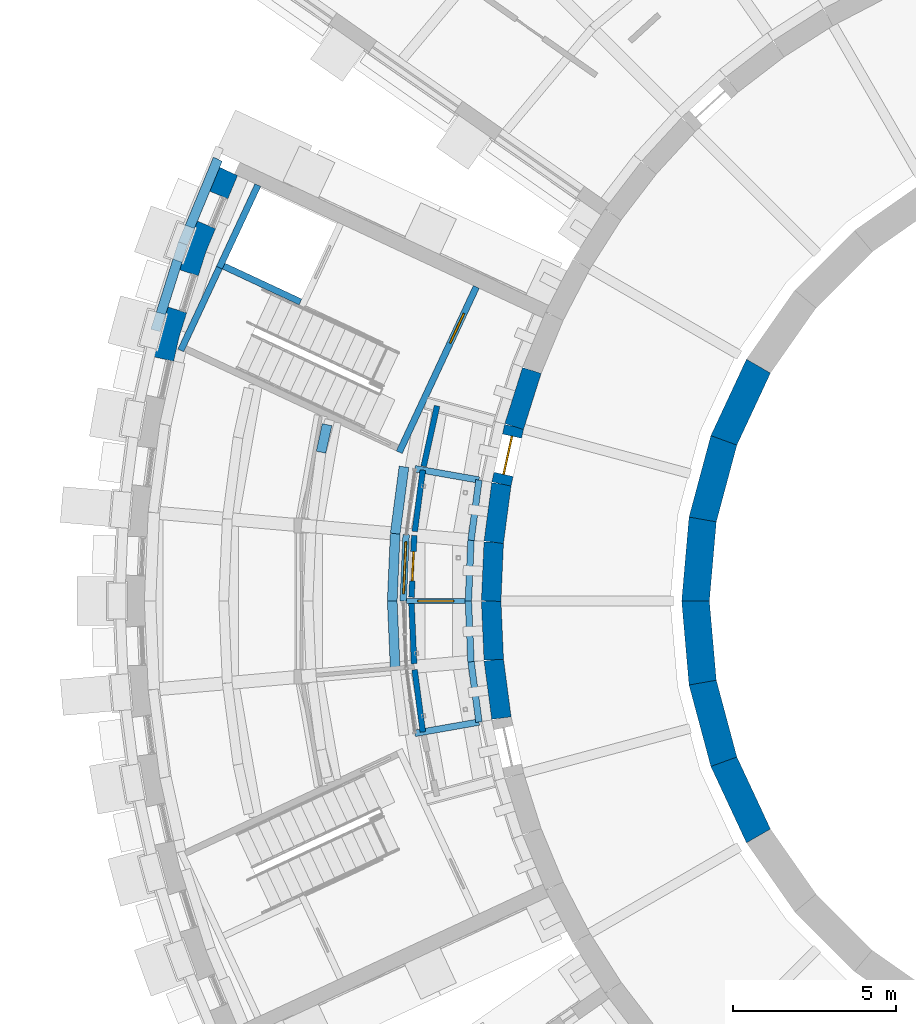
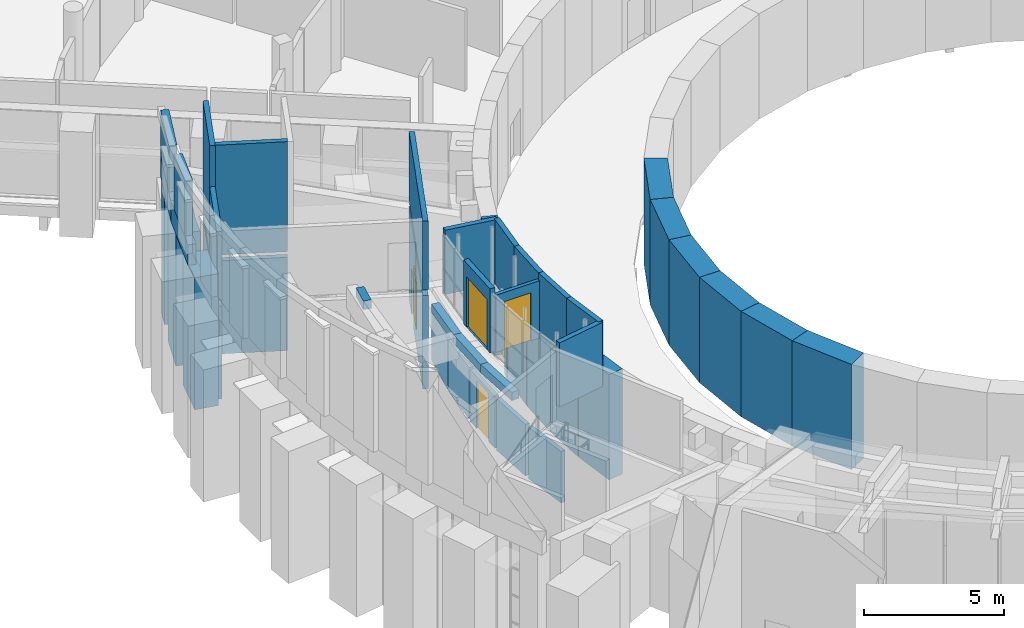
# One storey, part 41 of 66: 44 walls, 5 doors, 5 openings.
"""IFC4 building model written with IfcOpenShell, lengths in metres."""

from ifc_helpers import new_model, si_unit, direction, frame, frame_2d, origin, place, context, subcontext, project, spatial, polyline, rectangle, outline, extrude, material, layer, layer_set, type_object, element, fill, save


model = new_model("IFC4")

# Units and contexts
model_context = context("Model", 3, precision=1e-05, world=origin(), true_north=direction((0.0, 1.0)))
body_context = subcontext(model_context, "Body", "Model", "MODEL_VIEW")
ifc_project = project(units=[si_unit("LENGTHUNIT", "METRE"), si_unit("AREAUNIT", "SQUARE_METRE"), si_unit("VOLUMEUNIT", "CUBIC_METRE"), si_unit("PLANEANGLEUNIT", "RADIAN"), si_unit("MASSUNIT", "GRAM", prefix="KILO")], contexts=[model_context])

# Site, building, storey
site_placement = place(None, origin())
site = spatial("IfcSite", under=ifc_project, at=site_placement, CompositionType="ELEMENT")
building_placement = place(site_placement, origin())
building = spatial("IfcBuilding", under=site, at=building_placement, Name="Volute Hill Aquarium", CompositionType="ELEMENT")
storey_placement = place(building_placement, frame((0.0, 0.0, 4.60009765625)))
storey = spatial("IfcBuildingStorey", under=building, at=storey_placement, Name="L02", CompositionType="ELEMENT", Elevation=4.60009765625)

# Wall, opening, door
ifc_material_1 = material(Name="Gypsum board on steel studs", Category="steel")
ifc_layer_1 = layer(ifc_material_1, 0.14990234375)
ifc_layer_set_1 = layer_set([ifc_layer_1], Name="Acoustic partition 150")
wall_type_1 = type_object("IfcWallType", Name="Acoustic partition 150", PredefinedType="PARTITIONING", material=ifc_layer_set_1)
wall_1_placement = place(storey_placement, frame((-21.5, 0.0, 4.31982421875), z_axis=(0.0, 0.0, 1.0), x_axis=(-1.0, 0.0, 0.0)))
wall_1 = element("IfcWall", 1, at=wall_1_placement, inside=storey, type_object=wall_type_1, Name="pw/S1/L02/gp1", PredefinedType="PARTITIONING", context=body_context, shape_type="SweptSolid", body=[
    extrude(rectangle(XDim=1.800048828125, YDim=0.14990234375, at=frame_2d((0.89990234375, 0.0))), origin(), (0.0, 0.0, 1.0), 2.5),
])
opening_1_placement = place(wall_1_placement, frame((0.35009765625, 0.0, 0.0)))
opening_1 = element("IfcOpeningElement", 2, at=opening_1_placement, cuts=wall_1, Name="Opening D1.02.GP", PredefinedType="OPENING", context=body_context, shape_type="SweptSolid", body=[
    extrude(rectangle(XDim=1.10009765625, YDim=2.10009765625, at=frame_2d((0.550048828125, 1.050048828125))), frame((0.0, 0.0849609375, 0.0), z_axis=(0.0, -1.0, 0.0), x_axis=(1.0, 0.0, 0.0)), (0.0, 0.0, 1.0), 0.169921875),
])
ifc_material_2 = material(Name="Timber", Category="wood")
door_type_1 = type_object("IfcDoorType", Name="Door 1100 x 2100 accessible WC", OperationType="SINGLE_SWING_LEFT", PredefinedType="DOOR", material=ifc_material_2)
door_1_placement = place(opening_1_placement, origin())
door_1 = element("IfcDoor", 3, at=door_1_placement, inside=storey, type_object=door_type_1, Name="d/S1/L02/gp", OperationType="SINGLE_SWING_RIGHT", OverallHeight=2.10009765625, OverallWidth=1.10009765625, PredefinedType="DOOR", context=body_context, shape_type="SweptSolid", body=[
    extrude(rectangle(XDim=1.10009765625, YDim=2.10009765625, at=frame_2d((0.550048828125, 1.050048828125))), frame((0.0, 0.02490234375, 0.0), z_axis=(0.0, -1.0, 0.0), x_axis=(1.0, 0.0, 0.0)), (0.0, 0.0, 1.0), 0.050048828125),
])
fill(opening_1, door_1)

ifc_material_3 = material(Name="Concrete C30/37", Category="concrete")
ifc_layer_2 = layer(ifc_material_3, 0.199951171875)
ifc_layer_set_2 = layer_set([ifc_layer_2], Name="Core wall 200 REI 60")
wall_type_2 = type_object("IfcWallType", Name="Core wall 200 REI 60", PredefinedType="SHEAR", material=ifc_layer_set_2)
wall_2_placement = place(storey_placement, frame((-21.15625, 9.64453125, 0.0), z_axis=(0.0, 0.0, 1.0), x_axis=(-0.422596646043, -0.906317866288, 0.0)))
wall_2 = element("IfcWall", 4, at=wall_2_placement, inside=storey, type_object=wall_type_2, Name="wc/S1-A/L02/in", PredefinedType="SHEAR", context=body_context, shape_type="SweptSolid", body=[
    extrude(rectangle(XDim=5.599853515625, YDim=0.199951171875, at=frame_2d((2.7998046875, 0.0))), origin(), (0.0, 0.0, 1.0), 4.06982421875),
])
opening_2_placement = place(wall_2_placement, frame((0.89990234375, 0.0, 0.0)))
opening_2 = element("IfcOpeningElement", 5, at=opening_2_placement, cuts=wall_2, Name="Opening D1.02.AS", PredefinedType="OPENING", context=body_context, shape_type="SweptSolid", body=[
    extrude(rectangle(XDim=1.0, YDim=2.10009765625, at=frame_2d((0.5, 1.050048828125))), frame((0.0, 0.10986328125, 0.0), z_axis=(0.0, -1.0, 0.0), x_axis=(1.0, 0.0, 0.0)), (0.0, 0.0, 1.0), 0.219970703125),
])
ifc_material_4 = material(Name="Timber, fire-rated", Category="wood")
door_type_2 = type_object("IfcDoorType", Name="Door 1000 x 2100 single EI1 30", OperationType="SINGLE_SWING_LEFT", PredefinedType="DOOR", material=ifc_material_4)
door_2_placement = place(opening_2_placement, origin())
door_2 = element("IfcDoor", 6, at=door_2_placement, inside=storey, type_object=door_type_2, Name="d/S1-A/L02/st", OperationType="SINGLE_SWING_RIGHT", OverallHeight=2.10009765625, OverallWidth=1.0, PredefinedType="DOOR", context=body_context, shape_type="SweptSolid", body=[
    extrude(rectangle(XDim=1.0, YDim=2.10009765625, at=frame_2d((0.5, 1.050048828125))), frame((0.0, 0.02490234375, 0.0), z_axis=(0.0, -1.0, 0.0), x_axis=(1.0, 0.0, 0.0)), (0.0, 0.0, 1.0), 0.050048828125),
])
fill(opening_2, door_2)

# Walls
wall_3_placement = place(storey_placement, frame((-21.15625, 9.64453125, 4.31982421875), z_axis=(0.0, 0.0, 1.0), x_axis=(-0.422596646043, -0.906317866288, 0.0)))
element("IfcWall", 7, at=wall_3_placement, inside=storey, type_object=wall_type_2, Name="wc/S1-A/L02/in-h", PredefinedType="SHEAR", context=body_context, shape_type="SweptSolid", body=[
    extrude(rectangle(XDim=5.599853515625, YDim=0.199951171875, at=frame_2d((2.7998046875, 0.0))), origin(), (0.0, 0.0, 1.0), 3.0),
])
wall_4_placement = place(storey_placement, frame((-29.046142578125, 10.234375, 0.0), z_axis=(0.0, 0.0, 1.0), x_axis=(-0.422632457081, -0.906301167505, 0.0)))
element("IfcWall", 8, at=wall_4_placement, inside=storey, type_object=wall_type_2, Name="wc/S1-A/L02/out-b", PredefinedType="SHEAR", context=body_context, shape_type="SweptSolid", body=[
    extrude(rectangle(XDim=2.800048828125, YDim=0.199951171875, at=frame_2d((1.39990234375, 0.0))), origin(), (0.0, 0.0, 1.0), 4.06982421875),
])
wall_5_placement = place(storey_placement, frame((-29.046142578125, 10.234375, 4.31982421875), z_axis=(0.0, 0.0, 1.0), x_axis=(-0.422632457081, -0.906301167505, 0.0)))
element("IfcWall", 9, at=wall_5_placement, inside=storey, type_object=wall_type_2, Name="wc/S1-A/L02/out-b-h", PredefinedType="SHEAR", context=body_context, shape_type="SweptSolid", body=[
    extrude(rectangle(XDim=2.800048828125, YDim=0.199951171875, at=frame_2d((1.39990234375, 0.0))), origin(), (0.0, 0.0, 1.0), 3.0),
])
ifc_material_5 = material(Name="Gypsum board on steel studs", Category="steel")
ifc_layer_3 = layer(ifc_material_5, 0.175048828125)
ifc_layer_set_3 = layer_set([ifc_layer_3], Name="Corridor partition 175 EI 60")
wall_type_3 = type_object("IfcWallType", Name="Corridor partition 175 EI 60", PredefinedType="PARTITIONING", material=ifc_layer_set_3)
wall_6_placement = place(storey_placement, frame((-23.06591796875, -1.92529296875, 0.0), z_axis=(0.0, 0.0, 1.0), x_axis=(-0.043580164476, 0.999049933319, 0.0)))
element("IfcWall", 10, at=wall_6_placement, inside=storey, type_object=wall_type_3, Name="pw/S1/L02/005", PredefinedType="PARTITIONING", context=body_context, shape_type="SweptSolid", body=[
    extrude(rectangle(XDim=1.927001953125, YDim=0.175048828125, at=frame_2d((0.96337890625, 0.0))), origin(), (0.0, 0.0, 1.0), 2.25),
])

# Wall, opening, door
wall_7_placement = place(storey_placement, frame((-23.14501953125, 0.117431640625, 0.0), z_axis=(0.0, 0.0, 1.0), x_axis=(0.043643330311, 0.999047175923, 0.0)))
wall_7 = element("IfcWall", 11, at=wall_7_placement, inside=storey, type_object=wall_type_3, Name="pw/S1/L02/006", PredefinedType="PARTITIONING", context=body_context, shape_type="SweptSolid", body=[
    extrude(rectangle(XDim=1.90185546875, YDim=0.175048828125, at=frame_2d((0.950927734375, 0.0))), origin(), (0.0, 0.0, 1.0), 2.25),
])
opening_3_placement = place(wall_7_placement, frame((0.501220703125, 0.0, 0.0)))
opening_3 = element("IfcOpeningElement", 12, at=opening_3_placement, cuts=wall_7, Name="Opening D1.02.01", PredefinedType="OPENING", context=body_context, shape_type="SweptSolid", body=[
    extrude(rectangle(XDim=0.89990234375, YDim=2.10009765625, at=frame_2d((0.449951171875, 1.050048828125))), frame((0.0, 0.097412109375, 0.0), z_axis=(0.0, -1.0, 0.0), x_axis=(1.0, 0.0, 0.0)), (0.0, 0.0, 1.0), 0.195068359375),
])
ifc_material_6 = material(Name="Timber, fire-rated", Category="wood")
door_type_3 = type_object("IfcDoorType", Name="Door 900 x 2100 wc single EI1 30", OperationType="SINGLE_SWING_LEFT", PredefinedType="DOOR", material=ifc_material_6)
door_3_placement = place(opening_3_placement, origin())
door_3 = element("IfcDoor", 13, at=door_3_placement, inside=storey, type_object=door_type_3, Name="d/S1/L02/01", OperationType="SINGLE_SWING_LEFT", OverallHeight=2.10009765625, OverallWidth=0.89990234375, PredefinedType="DOOR", context=body_context, shape_type="SweptSolid", body=[
    extrude(rectangle(XDim=0.89990234375, YDim=2.10009765625, at=frame_2d((0.449951171875, 1.050048828125))), frame((0.0, 0.02490234375, 0.0), z_axis=(0.0, -1.0, 0.0), x_axis=(1.0, 0.0, 0.0)), (0.0, 0.0, 1.0), 0.050048828125),
])
fill(opening_3, door_3)

# Walls
wall_8_placement = place(storey_placement, frame((-22.79833984375, -4.02001953125, 0.0), z_axis=(0.0, 0.0, 1.0), x_axis=(-0.130487283732, 0.991449982997, 0.0)))
element("IfcWall", 14, at=wall_8_placement, inside=storey, type_object=wall_type_3, Name="pw/S1/L02/007", PredefinedType="PARTITIONING", context=body_context, shape_type="SweptSolid", body=[
    extrude(rectangle(XDim=1.927001953125, YDim=0.175048828125, at=frame_2d((0.96337890625, 0.0))), origin(), (0.0, 0.0, 1.0), 2.25),
])
for number, where, z_axis, x_axis, name in (
    (15, (-23.046630859375, 2.13427734375, 0.0), (0.0, 0.0, 1.0), (0.130540841851, 0.991442932603, 0.0), "pw/S1/L02/008"),
    (16, (-22.77294921875, 4.134765625, 0.0), (0.0, 0.0, 1.0), (0.216536312187, 0.97627456461, 0.0), "pw/S1/L02/010"),
):
    element("IfcWall", number, at=place(storey_placement, frame(where, z_axis=z_axis, x_axis=x_axis)), inside=storey, type_object=wall_type_3, Name=name, PredefinedType="PARTITIONING", context=body_context, shape_type="SweptSolid", body=[
        extrude(rectangle(XDim=1.902099609375, YDim=0.175048828125, at=frame_2d((0.951171875, 0.0))), origin(), (0.0, 0.0, 1.0), 2.25),
    ])
ifc_material_7 = material(Name="Precast concrete C40/50", Category="concrete")
ifc_layer_4 = layer(ifc_material_7, 0.300048828125)
ifc_layer_set_4 = layer_set([ifc_layer_4], Name="Crown screen wall precast concrete C40/50 300")
wall_type_4 = type_object("IfcWallType", Name="Crown screen wall precast concrete C40/50 300", PredefinedType="NOTDEFINED", material=ifc_layer_set_4)
wall_9_placement = place(storey_placement, frame((0.0, 0.0, 6.659912109375)))
element("IfcWall", 17, at=wall_9_placement, inside=storey, type_object=wall_type_4, Name="Crown screen wall CSW S1 1", PredefinedType="NOTDEFINED", context=body_context, shape_type="SweptSolid", body=[
    extrude(outline(polyline([(-29.228759765625, 13.629638671875), (-30.093505859375, 11.5419921875), (-29.811279296875, 11.439453125), (-28.956787109375, 13.502685546875), (-29.228759765625, 13.629638671875)])), origin(), (0.0, 0.0, 1.0), 2.016357421875),
])
wall_10_placement = place(storey_placement, frame((0.0, 0.0, 6.659912109375)))
element("IfcWall", 18, at=wall_10_placement, inside=storey, type_object=wall_type_4, Name="Crown screen wall CSW S1 2", PredefinedType="NOTDEFINED", context=body_context, shape_type="SweptSolid", body=[
    extrude(outline(polyline([(-30.47216796875, 10.501953125), (-30.98486328125, 8.87548828125), (-30.69482421875, 8.797607421875), (-30.18994140625, 10.399169921875), (-30.47216796875, 10.501953125)])), origin(), (0.0, 0.0, 1.0), 2.41259765625),
])
ifc_material_8 = material(Name="Concrete C35/45", Category="concrete")
ifc_layer_5 = layer(ifc_material_8, 0.60009765625)
ifc_layer_set_5 = layer_set([ifc_layer_5], Name="Drum wall C35/45 600")
wall_type_5 = type_object("IfcWallType", Name="Drum wall C35/45 600", PredefinedType="SHEAR", material=ifc_layer_set_5)
wall_11_placement = place(storey_placement, frame((-19.45166015625, 7.079833984375, 0.0), z_axis=(0.0, 0.0, 1.0), x_axis=(-0.300691330354, -0.953721512733, 0.0)))
element("IfcWall", 19, at=wall_11_placement, inside=storey, type_object=wall_type_5, Name="sw/DR/L02/32", PredefinedType="SHEAR", context=body_context, shape_type="SweptSolid", body=[
    extrude(rectangle(XDim=1.8056640625, YDim=0.60009765625, at=frame_2d((0.90283203125, 0.0))), origin(), (0.0, 0.0, 1.0), 4.599853515625),
])

# Wall, opening, door
wall_12_placement = place(storey_placement, frame((-19.99462890625, 5.357666015625, 0.0), z_axis=(0.0, 0.0, 1.0), x_axis=(-0.216429453554, -0.976298259567, 0.0)))
wall_12 = element("IfcWall", 20, at=wall_12_placement, inside=storey, type_object=wall_type_5, Name="sw/DR/L02/33", PredefinedType="SHEAR", context=body_context, shape_type="SweptSolid", body=[
    extrude(rectangle(XDim=1.805908203125, YDim=0.60009765625, at=frame_2d((0.90283203125, 0.0))), origin(), (0.0, 0.0, 1.0), 4.599853515625),
])
opening_4_placement = place(wall_12_placement, frame((0.302978515625, 0.0, 0.0)))
opening_4 = element("IfcOpeningElement", 21, at=opening_4_placement, cuts=wall_12, Name="Opening D1.02.R1", PredefinedType="OPENING", context=body_context, shape_type="SweptSolid", body=[
    extrude(rectangle(XDim=1.199951171875, YDim=2.10009765625, at=frame_2d((0.60009765625, 1.050048828125))), frame((0.0, 0.31005859375, 0.0), z_axis=(0.0, -1.0, 0.0), x_axis=(1.0, 0.0, 0.0)), (0.0, 0.0, 1.0), 0.6201171875),
])
ifc_material_9 = material(Name="Timber", Category="wood")
door_type_4 = type_object("IfcDoorType", Name="Door 1200 x 2100 drum double", OperationType="DOUBLE_DOOR_SINGLE_SWING", PredefinedType="DOOR", material=ifc_material_9)
door_4_placement = place(opening_4_placement, origin())
door_4 = element("IfcDoor", 22, at=door_4_placement, inside=storey, type_object=door_type_4, Name="d/S1/L02/dr1", OperationType="SINGLE_SWING_LEFT", OverallHeight=2.10009765625, OverallWidth=1.199951171875, PredefinedType="DOOR", context=body_context, shape_type="SweptSolid", body=[
    extrude(rectangle(XDim=1.199951171875, YDim=2.10009765625, at=frame_2d((0.60009765625, 1.050048828125))), frame((0.0, 0.02490234375, 0.0), z_axis=(0.0, -1.0, 0.0), x_axis=(1.0, 0.0, 0.0)), (0.0, 0.0, 1.0), 0.050048828125),
])
fill(opening_4, door_4)

# Walls
wall_13_placement = place(storey_placement, frame((-20.385498046875, 3.594482421875, 0.0), z_axis=(0.0, 0.0, 1.0), x_axis=(-0.130471999813, -0.991451994433, 0.0)))
element("IfcWall", 23, at=wall_13_placement, inside=storey, type_object=wall_type_5, Name="sw/DR/L02/34", PredefinedType="SHEAR", context=body_context, shape_type="SweptSolid", body=[
    extrude(rectangle(XDim=1.8056640625, YDim=0.60009765625, at=frame_2d((0.90283203125, 0.0))), origin(), (0.0, 0.0, 1.0), 4.599853515625),
])
for number, where, z_axis, x_axis, name in (
    (24, (-20.62109375, 1.80419921875, 0.0), (0.0, 0.0, 1.0), (-0.043666024022, -0.999046184291, 0.0), "sw/DR/L02/35"),
    (25, (-20.699951171875, 0.0, 0.0), (0.0, 0.0, 1.0), (0.043666024022, -0.999046184291, 0.0), "sw/DR/L02/36"),
):
    element("IfcWall", number, at=place(storey_placement, frame(where, z_axis=z_axis, x_axis=x_axis)), inside=storey, type_object=wall_type_5, Name=name, PredefinedType="SHEAR", context=body_context, shape_type="SweptSolid", body=[
        extrude(rectangle(XDim=1.805908203125, YDim=0.60009765625, at=frame_2d((0.90283203125, 0.0))), origin(), (0.0, 0.0, 1.0), 4.599853515625),
    ])
wall_14_placement = place(storey_placement, frame((-20.62109375, -1.80419921875, 0.0), z_axis=(0.0, 0.0, 1.0), x_axis=(0.130471999813, -0.991451994433, 0.0)))
element("IfcWall", 26, at=wall_14_placement, inside=storey, type_object=wall_type_5, Name="sw/DR/L02/37", PredefinedType="SHEAR", context=body_context, shape_type="SweptSolid", body=[
    extrude(rectangle(XDim=1.8056640625, YDim=0.60009765625, at=frame_2d((0.90283203125, 0.0))), origin(), (0.0, 0.0, 1.0), 4.599853515625),
])
ifc_material_10 = material(Name="Glulam GL28h", Category="wood")
ifc_layer_6 = layer(ifc_material_10, 0.199951171875)
ifc_layer_set_6 = layer_set([ifc_layer_6], Name="Garden pavilion wall 200")
wall_type_6 = type_object("IfcWallType", Name="Garden pavilion wall 200", PredefinedType="NOTDEFINED", material=ifc_layer_set_6)
for number, where, z_axis, x_axis, name in (
    (27, (-23.04443359375, 4.0634765625, 4.31982421875), (0.0, 0.0, 1.0), (0.984795845995, -0.173715692184, 0.0), "Garden pavilion end wall GP 1"),
    (28, (-21.074951171875, -3.716064453125, 4.31982421875), (0.0, 0.0, 1.0), (-0.984795845995, -0.173715692184, 0.0), "Garden pavilion end wall GP 2"),
):
    element("IfcWall", number, at=place(storey_placement, frame(where, z_axis=z_axis, x_axis=x_axis)), inside=storey, type_object=wall_type_6, Name=name, PredefinedType="NOTDEFINED", context=body_context, shape_type="SweptSolid", body=[
        extrude(rectangle(XDim=2.0, YDim=0.199951171875, at=frame_2d((1.0, 0.0))), origin(), (0.0, 0.0, 1.0), 2.800048828125),
    ])
wall_15_placement = place(storey_placement, frame((-21.074951171875, 3.716064453125, 4.31982421875), z_axis=(0.0, 0.0, 1.0), x_axis=(-0.130501868533, -0.991448063344, 0.0)))
element("IfcWall", 29, at=wall_15_placement, inside=storey, type_object=wall_type_6, Name="Garden pavilion back wall GP 1", PredefinedType="NOTDEFINED", context=body_context, shape_type="SweptSolid", body=[
    extrude(rectangle(XDim=1.866943359375, YDim=0.199951171875, at=frame_2d((0.93359375, 0.0))), origin(), (0.0, 0.0, 1.0), 2.800048828125),
])
for number, where, z_axis, x_axis, name in (
    (30, (-21.318603515625, 1.864990234375, 4.31982421875), (0.0, 0.0, 1.0), (-0.043550733756, -0.9990512167, 0.0), "Garden pavilion back wall GP 2"),
    (31, (-21.39990234375, 0.0, 4.31982421875), (0.0, 0.0, 1.0), (0.043550733756, -0.9990512167, 0.0), "Garden pavilion back wall GP 3"),
):
    element("IfcWall", number, at=place(storey_placement, frame(where, z_axis=z_axis, x_axis=x_axis)), inside=storey, type_object=wall_type_6, Name=name, PredefinedType="NOTDEFINED", context=body_context, shape_type="SweptSolid", body=[
        extrude(rectangle(XDim=1.86669921875, YDim=0.199951171875, at=frame_2d((0.933349609375, 0.0))), origin(), (0.0, 0.0, 1.0), 2.800048828125),
    ])
wall_16_placement = place(storey_placement, frame((-21.318603515625, -1.864990234375, 4.31982421875), z_axis=(0.0, 0.0, 1.0), x_axis=(0.130501868533, -0.991448063344, 0.0)))
element("IfcWall", 32, at=wall_16_placement, inside=storey, type_object=wall_type_6, Name="Garden pavilion back wall GP 4", PredefinedType="NOTDEFINED", context=body_context, shape_type="SweptSolid", body=[
    extrude(rectangle(XDim=1.866943359375, YDim=0.199951171875, at=frame_2d((0.93359375, 0.0))), origin(), (0.0, 0.0, 1.0), 2.800048828125),
])

# Wall, opening, door
wall_17_placement = place(storey_placement, frame((-23.39990234375, 0.0, 4.31982421875), z_axis=(0.0, 0.0, 1.0), x_axis=(0.043535840914, 0.999051865799, 0.0)))
wall_17 = element("IfcWall", 33, at=wall_17_placement, inside=storey, type_object=wall_type_6, Name="Garden pavilion door wall GP", PredefinedType="NOTDEFINED", context=body_context, shape_type="SweptSolid", body=[
    extrude(rectangle(XDim=2.041259765625, YDim=0.199951171875, at=frame_2d((1.0205078125, 0.0))), origin(), (0.0, 0.0, 1.0), 2.800048828125),
])
opening_5_placement = place(wall_17_placement, frame((0.220703125, 0.0, 0.0)))
opening_5 = element("IfcOpeningElement", 34, at=opening_5_placement, cuts=wall_17, Name="Opening ED11", PredefinedType="OPENING", context=body_context, shape_type="SweptSolid", body=[
    extrude(rectangle(XDim=1.60009765625, YDim=2.199951171875, at=frame_2d((0.800048828125, 1.10009765625))), frame((0.0, 0.10986328125, 0.0), z_axis=(0.0, -1.0, 0.0), x_axis=(1.0, 0.0, 0.0)), (0.0, 0.0, 1.0), 0.219970703125),
])
ifc_material_11 = material(Name="Aluminium and glass", Category="aluminium")
door_type_5 = type_object("IfcDoorType", Name="Glazed garden double door 1600x2200", OperationType="DOUBLE_DOOR_SINGLE_SWING", PredefinedType="DOOR", material=ifc_material_11)
door_5_placement = place(opening_5_placement, origin())
door_5 = element("IfcDoor", 35, at=door_5_placement, inside=storey, type_object=door_type_5, Name="External door ED11 garden pavilion", OperationType="DOUBLE_DOOR_SINGLE_SWING", OverallHeight=2.199951171875, OverallWidth=1.60009765625, PredefinedType="DOOR", context=body_context, shape_type="SweptSolid", body=[
    extrude(rectangle(XDim=1.60009765625, YDim=2.199951171875, at=frame_2d((0.800048828125, 1.10009765625))), frame((0.0, 0.02490234375, 0.0), z_axis=(0.0, -1.0, 0.0), x_axis=(1.0, 0.0, 0.0)), (0.0, 0.0, 1.0), 0.050048828125),
])
fill(opening_5, door_5)

# Walls
ifc_material_12 = material(Name="Precast concrete C40/50", Category="concrete")
ifc_layer_7 = layer(ifc_material_12, 0.89990234375)
ifc_layer_set_7 = layer_set([ifc_layer_7], Name="Outer pier precast concrete C40/50 900")
wall_type_7 = type_object("IfcWallType", Name="Outer pier precast concrete C40/50 900", PredefinedType="NOTDEFINED", material=ifc_layer_set_7)
wall_18_placement = place(storey_placement, origin())
element("IfcWall", 36, at=wall_18_placement, inside=storey, type_object=wall_type_7, Name="Outer pier OWP S1 L02 1", PredefinedType="NOTDEFINED", context=body_context, shape_type="SweptSolid", body=[
    extrude(outline(polyline([(-28.489013671875, 13.06396484375), (-29.305419921875, 13.444580078125), (-29.615478515625, 12.696044921875), (-28.783935546875, 12.3515625), (-28.489013671875, 13.06396484375)])), origin(), (0.0, 0.0, 1.0), 5.760009765625),
])
wall_19_placement = place(storey_placement, origin())
element("IfcWall", 37, at=wall_19_placement, inside=storey, type_object=wall_type_7, Name="Outer pier OWP S1 L02 2", PredefinedType="NOTDEFINED", context=body_context, shape_type="SweptSolid", body=[
    extrude(outline(polyline([(-29.163818359375, 11.4345703125), (-29.995361328125, 11.77880859375), (-30.549072265625, 10.25732421875), (-29.690673828125, 9.98681640625), (-29.458984375, 10.72216796875), (-29.163818359375, 11.4345703125)])), origin(), (0.0, 0.0, 1.0), 5.760009765625),
])
wall_20_placement = place(storey_placement, origin())
element("IfcWall", 38, at=wall_20_placement, inside=storey, type_object=wall_type_7, Name="Outer pier OWP S1 L02 3", PredefinedType="NOTDEFINED", context=body_context, shape_type="SweptSolid", body=[
    extrude(outline(polyline([(-30.049560546875, 8.84912109375), (-30.907958984375, 9.11962890625), (-31.326904296875, 7.555908203125), (-30.4482421875, 7.361083984375), (-30.281494140625, 8.114013671875), (-30.049560546875, 8.84912109375)])), origin(), (0.0, 0.0, 1.0), 5.760009765625),
])
ifc_material_13 = material(Name="Precast concrete C40/50", Category="concrete")
ifc_layer_8 = layer(ifc_material_13, 0.300048828125)
ifc_layer_set_8 = layer_set([ifc_layer_8], Name="Roof edge parapet precast concrete C40/50 300")
wall_type_8 = type_object("IfcWallType", Name="Roof edge parapet precast concrete C40/50 300", PredefinedType="PARAPET", material=ifc_layer_set_8)
wall_21_placement = place(storey_placement, frame((0.0, 0.0, 5.760009765625)))
element("IfcWall", 39, at=wall_21_placement, inside=storey, type_object=wall_type_8, Name="Roof edge parapet PAR S1 1", PredefinedType="PARAPET", context=body_context, shape_type="SweptSolid", body=[
    extrude(outline(polyline([(-30.305419921875, 11.0302734375), (-30.023193359375, 10.927490234375), (-28.956787109375, 13.502685546875), (-29.228759765625, 13.629638671875), (-30.305419921875, 11.0302734375)])), origin(), (0.0, 0.0, 1.0), 0.89990234375),
])
wall_22_placement = place(storey_placement, frame((0.0, 0.0, 5.760009765625)))
element("IfcWall", 40, at=wall_22_placement, inside=storey, type_object=wall_type_8, Name="Roof edge parapet PAR S1 2", PredefinedType="PARAPET", context=body_context, shape_type="SweptSolid", body=[
    extrude(outline(polyline([(-30.023193359375, 10.927490234375), (-30.305419921875, 11.0302734375), (-31.151611328125, 8.346923828125), (-30.861572265625, 8.26904296875), (-30.023193359375, 10.927490234375)])), origin(), (0.0, 0.0, 1.0), 0.89990234375),
])
ifc_material_14 = material(Name="Concrete C30/37", Category="concrete")
ifc_layer_9 = layer(ifc_material_14, 0.199951171875)
ifc_layer_set_9 = layer_set([ifc_layer_9], Name="Shaft wall 200 EI 60")
wall_type_9 = type_object("IfcWallType", Name="Shaft wall 200 EI 60", PredefinedType="SOLIDWALL", material=ifc_layer_set_9)
wall_23_placement = place(storey_placement, frame((-27.86279296875, 12.77197265625, 0.0), z_axis=(0.0, 0.0, 1.0), x_axis=(-0.422632457081, -0.906301167505, 0.0)))
element("IfcWall", 41, at=wall_23_placement, inside=storey, type_object=wall_type_9, Name="wc/S1-A/L02/out-a", PredefinedType="SOLIDWALL", context=body_context, shape_type="SweptSolid", body=[
    extrude(rectangle(XDim=2.800048828125, YDim=0.199951171875, at=frame_2d((1.39990234375, 0.0))), origin(), (0.0, 0.0, 1.0), 4.06982421875),
])
wall_24_placement = place(storey_placement, frame((-27.86279296875, 12.77197265625, 4.31982421875), z_axis=(0.0, 0.0, 1.0), x_axis=(-0.422632457081, -0.906301167505, 0.0)))
element("IfcWall", 42, at=wall_24_placement, inside=storey, type_object=wall_type_9, Name="wc/S1-A/L02/out-a-h", PredefinedType="SOLIDWALL", context=body_context, shape_type="SweptSolid", body=[
    extrude(rectangle(XDim=2.800048828125, YDim=0.199951171875, at=frame_2d((1.39990234375, 0.0))), origin(), (0.0, 0.0, 1.0), 4.800048828125),
])
wall_25_placement = place(storey_placement, frame((-26.556884765625, 9.183837890625, 0.0), z_axis=(0.0, 0.0, 1.0), x_axis=(-0.906300648467, 0.422633570115, 0.0)))
element("IfcWall", 43, at=wall_25_placement, inside=storey, type_object=wall_type_9, Name="wc/S1-A/L02/shaft-side", PredefinedType="SOLIDWALL", context=body_context, shape_type="SweptSolid", body=[
    extrude(rectangle(XDim=2.60009765625, YDim=0.199951171875, at=frame_2d((1.300048828125, 0.0))), origin(), (0.0, 0.0, 1.0), 4.06982421875),
])
wall_26_placement = place(storey_placement, frame((-26.556884765625, 9.183837890625, 4.31982421875), z_axis=(0.0, 0.0, 1.0), x_axis=(-0.906300648467, 0.422633570115, 0.0)))
element("IfcWall", 44, at=wall_26_placement, inside=storey, type_object=wall_type_9, Name="wc/S1-A/L02/shaft-side-h", PredefinedType="SOLIDWALL", context=body_context, shape_type="SweptSolid", body=[
    extrude(rectangle(XDim=2.60009765625, YDim=0.199951171875, at=frame_2d((1.300048828125, 0.0))), origin(), (0.0, 0.0, 1.0), 4.800048828125),
])
ifc_material_15 = material(Name="Concrete C40/50", Category="concrete")
ifc_layer_10 = layer(ifc_material_15, 0.85009765625)
ifc_layer_set_10 = layer_set([ifc_layer_10], Name="Tank wall C40/50 850")
wall_type_10 = type_object("IfcWallType", Name="Tank wall C40/50 850", PredefinedType="SHEAR", material=ifc_layer_set_10)
wall_27_placement = place(storey_placement, origin())
element("IfcWall", 45, at=wall_27_placement, inside=storey, type_object=wall_type_10, Name="sw/TK/L02/15", PredefinedType="SHEAR", context=body_context, shape_type="SweptSolid", body=[
    extrude(outline(polyline([(-12.12451171875, 7.0), (-12.860595703125, 7.425048828125), (-13.954345703125, 5.0791015625), (-13.15576171875, 4.788330078125), (-12.12451171875, 7.0)])), origin(), (0.0, 0.0, 1.0), 4.599853515625),
])
wall_28_placement = place(storey_placement, origin())
element("IfcWall", 46, at=wall_28_placement, inside=storey, type_object=wall_type_10, Name="sw/TK/L02/16", PredefinedType="SHEAR", context=body_context, shape_type="SweptSolid", body=[
    extrude(outline(polyline([(-13.15576171875, 4.788330078125), (-13.954345703125, 5.0791015625), (-14.62451171875, 2.57861328125), (-13.787353515625, 2.43115234375), (-13.15576171875, 4.788330078125)])), origin(), (0.0, 0.0, 1.0), 4.599853515625),
])
wall_29_placement = place(storey_placement, origin())
element("IfcWall", 47, at=wall_29_placement, inside=storey, type_object=wall_type_10, Name="sw/TK/L02/17", PredefinedType="SHEAR", context=body_context, shape_type="SweptSolid", body=[
    extrude(outline(polyline([(-13.787353515625, 2.43115234375), (-14.62451171875, 2.57861328125), (-14.85009765625, 0.0), (-14.0, 0.0), (-13.787353515625, 2.43115234375)])), origin(), (0.0, 0.0, 1.0), 4.599853515625),
])
wall_30_placement = place(storey_placement, origin())
element("IfcWall", 48, at=wall_30_placement, inside=storey, type_object=wall_type_10, Name="sw/TK/L02/18", PredefinedType="SHEAR", context=body_context, shape_type="SweptSolid", body=[
    extrude(outline(polyline([(-14.0, 0.0), (-14.85009765625, 0.0), (-14.62451171875, -2.57861328125), (-13.787353515625, -2.43115234375), (-14.0, 0.0)])), origin(), (0.0, 0.0, 1.0), 4.599853515625),
])
wall_31_placement = place(storey_placement, origin())
element("IfcWall", 49, at=wall_31_placement, inside=storey, type_object=wall_type_10, Name="sw/TK/L02/19", PredefinedType="SHEAR", context=body_context, shape_type="SweptSolid", body=[
    extrude(outline(polyline([(-13.787353515625, -2.43115234375), (-14.62451171875, -2.57861328125), (-13.954345703125, -5.0791015625), (-13.15576171875, -4.788330078125), (-13.787353515625, -2.43115234375)])), origin(), (0.0, 0.0, 1.0), 4.599853515625),
])
wall_32_placement = place(storey_placement, origin())
element("IfcWall", 50, at=wall_32_placement, inside=storey, type_object=wall_type_10, Name="sw/TK/L02/20", PredefinedType="SHEAR", context=body_context, shape_type="SweptSolid", body=[
    extrude(outline(polyline([(-13.15576171875, -4.788330078125), (-13.954345703125, -5.0791015625), (-12.860595703125, -7.425048828125), (-12.12451171875, -7.0), (-13.15576171875, -4.788330078125)])), origin(), (0.0, 0.0, 1.0), 4.599853515625),
])
ifc_material_16 = material(Name="Concrete C35/45", Category="concrete")
ifc_layer_11 = layer(ifc_material_16, 0.300048828125)
ifc_layer_set_11 = layer_set([ifc_layer_11], Name="Terrace riser wall 300 C35/45")
wall_type_11 = type_object("IfcWallType", Name="Terrace riser wall 300 C35/45", PredefinedType="SOLIDWALL", material=ifc_layer_set_11)
wall_33_placement = place(storey_placement, frame((-23.376953125, 4.1220703125, 3.599853515625), z_axis=(0.0, 0.0, 1.0), x_axis=(-0.130503305206, -0.991447874238, 0.0)))
element("IfcWall", 51, at=wall_33_placement, inside=storey, type_object=wall_type_11, Name="kb/S1/L02/1.3", PredefinedType="SOLIDWALL", context=body_context, shape_type="SweptSolid", body=[
    extrude(rectangle(XDim=2.071044921875, YDim=0.300048828125, at=frame_2d((1.03564453125, 0.0))), origin(), (0.0, 0.0, 1.0), 0.360107421875),
])
for number, where, z_axis, x_axis, name in (
    (52, (-23.647216796875, 2.06884765625, 3.599853515625), (0.0, 0.0, 1.0), (-0.043621407759, -0.999048133368, 0.0), "kb/S1/L02/1.4"),
    (53, (-23.737548828125, 0.0, 3.599853515625), (0.0, 0.0, 1.0), (0.043621407759, -0.999048133368, 0.0), "kb/S1/L02/1.5"),
):
    element("IfcWall", number, at=place(storey_placement, frame(where, z_axis=z_axis, x_axis=x_axis)), inside=storey, type_object=wall_type_11, Name=name, PredefinedType="SOLIDWALL", context=body_context, shape_type="SweptSolid", body=[
        extrude(rectangle(XDim=2.07080078125, YDim=0.300048828125, at=frame_2d((1.035400390625, 0.0))), origin(), (0.0, 0.0, 1.0), 0.360107421875),
    ])
wall_34_placement = place(storey_placement, frame((-25.738037109375, 5.414794921875, 4.31982421875), z_axis=(0.0, 0.0, 1.0), x_axis=(-0.216451718059, -0.976293323622, 0.0)))
element("IfcWall", 54, at=wall_34_placement, inside=storey, type_object=wall_type_11, Name="kb/S1/L02/2.2", PredefinedType="SOLIDWALL", context=body_context, shape_type="SweptSolid", body=[
    extrude(rectangle(XDim=0.864013671875, YDim=0.300048828125, at=frame_2d((0.43212890625, 0.0))), origin(), (0.0, 0.0, 1.0), 0.380126953125),
])

save(model, "model.ifc")
